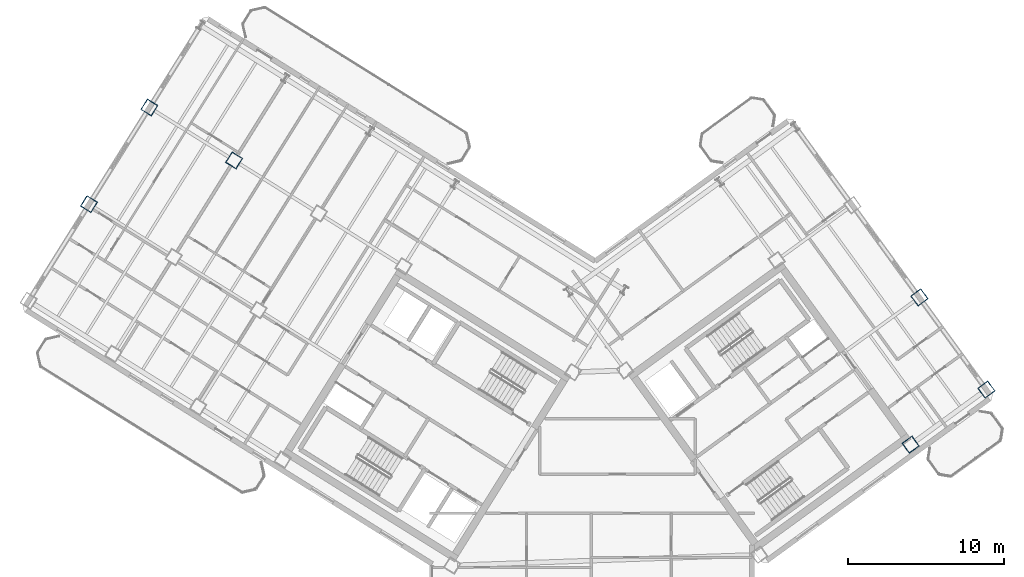
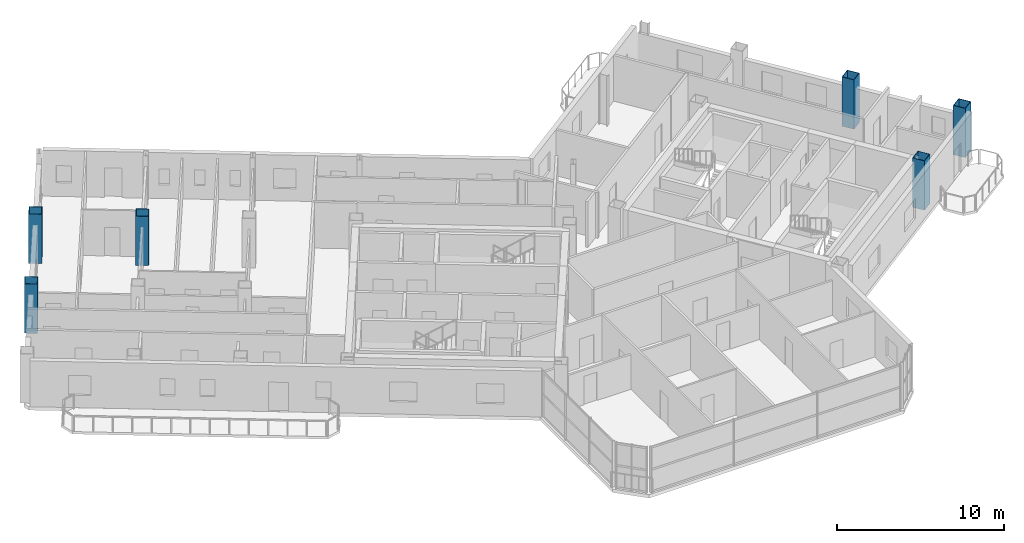
# One storey, part 2 of 20: 6 columns.
"""IFC4 building model written with IfcOpenShell, lengths in metres."""

from ifc_helpers import new_model, si_unit, direction, frame, origin, origin_2d, place, context, subcontext, project, spatial, hollow_rectangle, extrude, source, transform, mapped, material, material_profile, profile_set, type_object, element, save


model = new_model("IFC4")

# Units and contexts
model_context = context("Model", 3, precision=1e-05, world=origin(), true_north=direction((0.0, 1.0)))
body_context = subcontext(model_context, "Body", "Model", "MODEL_VIEW")
ifc_project = project(units=[si_unit("LENGTHUNIT", "METRE"), si_unit("AREAUNIT", "SQUARE_METRE"), si_unit("VOLUMEUNIT", "CUBIC_METRE"), si_unit("PLANEANGLEUNIT", "RADIAN"), si_unit("MASSUNIT", "GRAM", prefix="KILO")], contexts=[model_context])

# Site, building, storey
site_placement = place(None, origin())
site = spatial("IfcSite", under=ifc_project, at=site_placement, CompositionType="ELEMENT")
building_placement = place(site_placement, origin())
building = spatial("IfcBuilding", under=site, at=building_placement, Name="Tlacorven Tower", CompositionType="ELEMENT")
storey_placement = place(building_placement, frame((0.0, 0.0, 225.60009765625)))
storey = spatial("IfcBuildingStorey", under=building, at=storey_placement, Name="L57", CompositionType="ELEMENT", Elevation=225.60009765625)

# Columns
ifc_material = material(Name="Steel S460M", Category="steel")
ifc_material_profile = material_profile(ifc_material, hollow_rectangle(XDim=0.800048828125, YDim=0.800048828125, WallThickness=0.031982421875, at=origin_2d()), Name="BOX 800X800X32")
ifc_profile_set = profile_set([ifc_material_profile], Name="Steel S460M")
column_type = type_object("IfcColumnType", Name="COL-TWR-S3", PredefinedType="COLUMN", material=ifc_profile_set)
shared_shape = source(origin(), body_context, "Body", "SweptSolid", [
    extrude(hollow_rectangle(XDim=0.800048828125, YDim=0.800048828125, WallThickness=0.031982421875, at=origin_2d()), origin(), (0.0, 0.0, 1.0), 3.599853515625),
])
for number, where, z_axis, x_axis, name in (
    (1, (19.072998046875, 38.034423828125, 0.0), (0.0, 0.0, 1.0), (-0.848048096156, 0.529919264233, 0.0), "L57 column COL-L57-W5-2"),
    (2, (13.6455078125, 41.42578125, 0.0), (0.0, 0.0, 1.0), (-0.848048096156, 0.529919264233, 0.0), "L57 column COL-L57-W6-2"),
    (3, (9.777099609375, 35.235107421875, 0.0), (0.0, 0.0, 1.0), (-0.848048096156, 0.529919264233, 0.0), "L57 column COL-L57-W6-3"),
    (4, (62.41357421875, 19.826904296875, 0.0), (0.0, 0.0, 1.0), (0.809016994375, 0.587785252292, 0.0), "L57 column COL-L57-E3-1"),
    (5, (67.267822265625, 23.353515625, 0.0), (0.0, 0.0, 1.0), (0.809016994375, 0.587785252292, 0.0), "L57 column COL-L57-E4-1"),
    (6, (62.976806640625, 29.25927734375, 0.0), (0.0, 0.0, 1.0), (0.809016994375, 0.587785252292, 0.0), "L57 column COL-L57-E4-2"),
):
    element("IfcColumn", number, at=place(storey_placement, frame(where, z_axis=z_axis, x_axis=x_axis)), inside=storey, type_object=column_type, Name=name, PredefinedType="COLUMN", context=body_context, shape_type="MappedRepresentation", body=[
        mapped(shared_shape, transform((0.0, 0.0, 0.0), scale=1.0)),
    ])

save(model, "model.ifc")
